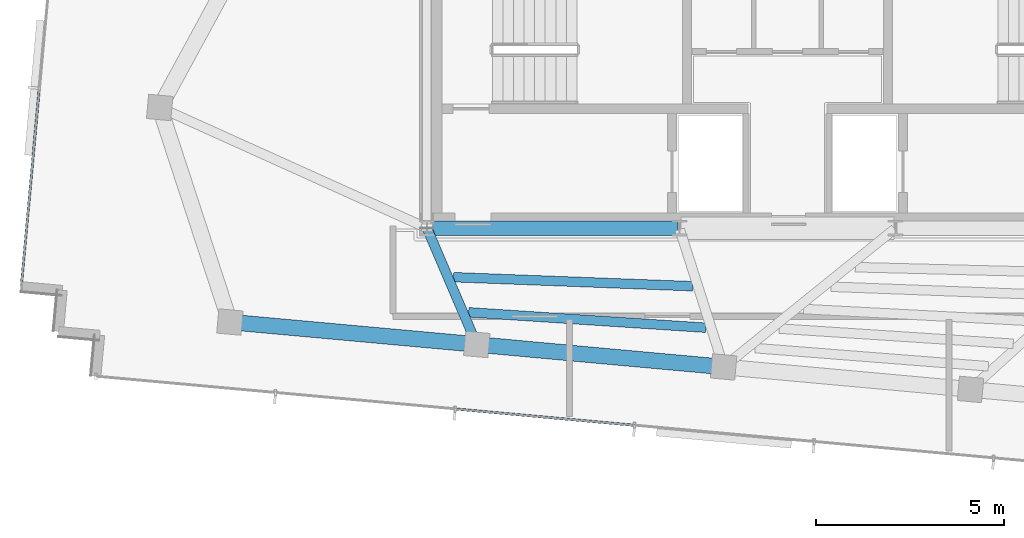
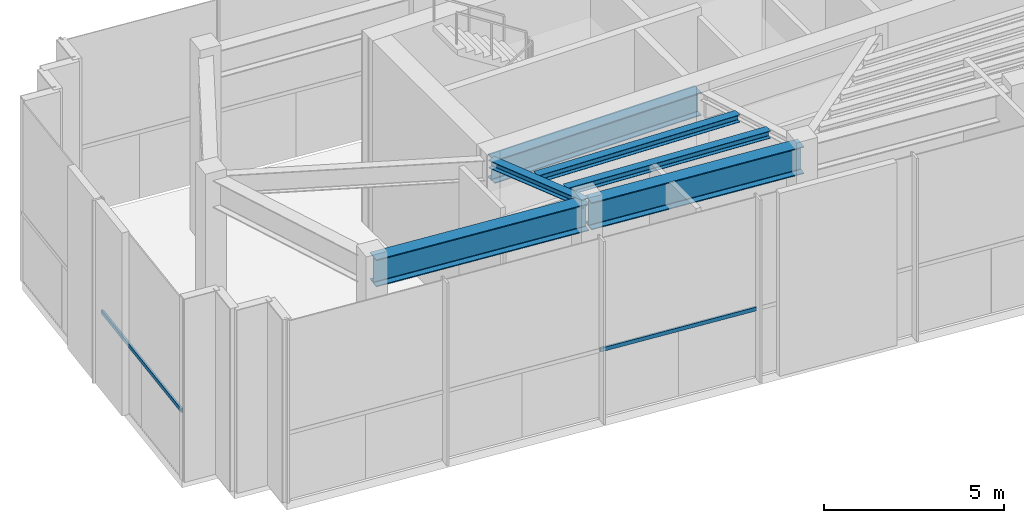
# One storey, part 3 of 19: 6 beams, 2 members, 2 elements without a shape of their own.
"""IFC4 building model written with IfcOpenShell, lengths in metres."""

from ifc_helpers import new_model, si_unit, direction, frame, origin, origin_2d, place, context, subcontext, project, spatial, hollow_rectangle, i_section, extrude, source, transform, mapped, material, material_profile, profile_set, type_object, type_shapes, element, aggregate, save


model = new_model("IFC4")

# Units and contexts
model_context = context("Model", 3, precision=1e-05, world=origin(), true_north=direction((0.0, 1.0)))
body_context = subcontext(model_context, "Body", "Model", "MODEL_VIEW")
ifc_project = project(units=[si_unit("LENGTHUNIT", "METRE"), si_unit("AREAUNIT", "SQUARE_METRE"), si_unit("VOLUMEUNIT", "CUBIC_METRE"), si_unit("PLANEANGLEUNIT", "RADIAN"), si_unit("MASSUNIT", "GRAM", prefix="KILO")], contexts=[model_context])

# Site, building, storey
site_placement = place(None, origin())
site = spatial("IfcSite", under=ifc_project, at=site_placement, CompositionType="ELEMENT")
building_placement = place(site_placement, origin())
building = spatial("IfcBuilding", under=site, at=building_placement, Name="Astriad Promenade Condominiums", CompositionType="ELEMENT")
storey_placement = place(building_placement, frame((0.0, 0.0, 283.800048828125)))
storey = spatial("IfcBuildingStorey", under=building, at=storey_placement, Name="L79", CompositionType="ELEMENT", Elevation=283.800048828125)

# Beams
ifc_material_1 = material(Name="Steel ASTM A992 Grade 50", Category="steel")
ifc_material_profile_1 = material_profile(ifc_material_1, i_section(OverallWidth=0.3837890625, OverallDepth=0.785888671875, WebThickness=0.019775390625, FlangeThickness=0.033447265625, FilletRadius=0.021484375, at=origin_2d()), Name="W30X211")
ifc_profile_set_1 = profile_set([ifc_material_profile_1], Name="Steel ASTM A992 Grade 50")
beam_type_1 = type_object("IfcBeamType", Name="STEEL FLOOR GIRDER W30X211", PredefinedType="BEAM", material=ifc_profile_set_1)
shared_shape_1 = source(origin(), body_context, "Body", "SweptSolid", [
    extrude(i_section(OverallWidth=0.3837890625, OverallDepth=0.785888671875, WebThickness=0.019775390625, FlangeThickness=0.033447265625, FilletRadius=0.021484375, at=origin_2d()), origin(), (0.0, 0.0, 1.0), 6.64013671875),
])
type_shapes(beam_type_1, [shared_shape_1])
beam_1_placement = place(storey_placement, frame((26.43994140625, 17.39990234375, 5.826904296875), z_axis=(1.0, 0.0, 0.0), x_axis=(0.0, 1.0, 0.0)))
element("IfcBeam", 1, at=beam_1_placement, inside=storey, type_object=beam_type_1, Name="Core Ring Beam CG-S1-L79", PredefinedType="BEAM", context=body_context, shape_type="MappedRepresentation", body=[
    mapped(shared_shape_1, transform((0.0, 0.0, 0.0), scale=1.0)),
])
ifc_material_profile_2 = material_profile(ifc_material_1, i_section(OverallWidth=0.25732421875, OverallDepth=0.26416015625, WebThickness=0.011962890625, FlangeThickness=0.01953125, FilletRadius=0.0126953125, at=origin_2d()), Name="W10X68")
ifc_profile_set_2 = profile_set([ifc_material_profile_2], Name="Steel ASTM A992 Grade 50")
beam_type_2 = type_object("IfcBeamType", Name="STEEL CANOPY BEAM W10X68", PredefinedType="BEAM", material=ifc_profile_set_2)
shared_shape_2 = source(origin(), body_context, "Body", "SweptSolid", [
    extrude(i_section(OverallWidth=0.25732421875, OverallDepth=0.26416015625, WebThickness=0.011962890625, FlangeThickness=0.01953125, FilletRadius=0.0126953125, at=origin_2d()), origin(), (0.0, 0.0, 1.0), 3.291259765625),
])
type_shapes(beam_type_2, [shared_shape_2])
beam_2_placement = place(storey_placement, frame((27.711181640625, 14.337646484375, 6.087890625), z_axis=(-0.39358803023, 0.919286931518, 0.0), x_axis=(-0.919286931518, -0.39358803023, 0.0)))
element("IfcBeam", 2, at=beam_2_placement, inside=storey, type_object=beam_type_2, Name="Primary Floor Girder PG-W2-L79", PredefinedType="BEAM", context=body_context, shape_type="MappedRepresentation", body=[
    mapped(shared_shape_2, transform((0.0, 0.0, 0.0), scale=1.0)),
])
ifc_material_profile_3 = material_profile(ifc_material_1, i_section(OverallWidth=0.418212890625, OverallDepth=0.926513671875, WebThickness=0.019287109375, FlangeThickness=0.031982421875, FilletRadius=0.024169921875, at=origin_2d()), Name="W36X231")
ifc_profile_set_3 = profile_set([ifc_material_profile_3], Name="Steel ASTM A992 Grade 50")
beam_type_3 = type_object("IfcBeamType", Name="STEEL CROWN RING BEAM W36X231", PredefinedType="BEAM", material=ifc_profile_set_3)
shared_shape_3 = source(origin(), body_context, "Body", "SweptSolid", [
    extrude(i_section(OverallWidth=0.418212890625, OverallDepth=0.926513671875, WebThickness=0.019287109375, FlangeThickness=0.031982421875, FilletRadius=0.024169921875, at=origin_2d()), origin(), (0.0, 0.0, 1.0), 6.52001953125),
])
beam_3_placement = place(storey_placement, frame((21.19384765625, 14.8955078125, 5.756591796875), z_axis=(0.995882457091, -0.090653911438, 0.0), x_axis=(0.090653911438, 0.995882457091, 0.0)))
element("IfcBeam", 3, at=beam_3_placement, inside=storey, type_object=beam_type_3, Name="Perimeter Spandrel Beam SP-S1-L79", PredefinedType="BEAM", context=body_context, shape_type="MappedRepresentation", body=[
    mapped(shared_shape_3, transform((0.0, 0.0, 0.0), scale=1.0)),
])
shared_shape_4 = source(origin(), body_context, "Body", "SweptSolid", [
    extrude(i_section(OverallWidth=0.418212890625, OverallDepth=0.926513671875, WebThickness=0.019287109375, FlangeThickness=0.031982421875, FilletRadius=0.024169921875, at=origin_2d()), origin(), (0.0, 0.0, 1.0), 6.520263671875),
])
type_shapes(beam_type_3, [shared_shape_3, shared_shape_4])
beam_4_placement = place(storey_placement, frame((27.7666015625, 14.29736328125, 5.756591796875), z_axis=(0.9958827648, -0.090650531022, 0.0), x_axis=(0.090650531022, 0.9958827648, 0.0)))
element("IfcBeam", 4, at=beam_4_placement, inside=storey, type_object=beam_type_3, Name="Perimeter Spandrel Beam SP-S2-L79", PredefinedType="BEAM", context=body_context, shape_type="MappedRepresentation", body=[
    mapped(shared_shape_4, transform((0.0, 0.0, 0.0), scale=1.0)),
])
ifc_material_profile_4 = material_profile(ifc_material_1, i_section(OverallWidth=0.25390625, OverallDepth=0.25390625, WebThickness=0.008544921875, FlangeThickness=0.01416015625, FilletRadius=0.0126953125, at=origin_2d()), Name="W10X49")
ifc_profile_set_4 = profile_set([ifc_material_profile_4], Name="Steel ASTM A992 Grade 50")
beam_type_4 = type_object("IfcBeamType", Name="STEEL TRIMMER JOIST W10X49", PredefinedType="JOIST", material=ifc_profile_set_4)
shared_shape_5 = source(origin(), body_context, "Body", "SweptSolid", [
    extrude(i_section(OverallWidth=0.25390625, OverallDepth=0.25390625, WebThickness=0.008544921875, FlangeThickness=0.01416015625, FilletRadius=0.0126953125, at=origin_2d()), origin(), (0.0, 0.0, 1.0), 6.32568359375),
])
beam_5_placement = place(storey_placement, frame((27.50927734375, 15.15869140625, 6.093017578125), z_axis=(0.997885605656, -0.064994753816, 0.0), x_axis=(0.064994753816, 0.997885605656, 0.0)))
element("IfcBeam", 5, at=beam_5_placement, inside=storey, type_object=beam_type_4, Name="Secondary Composite Floor Joist JCW-2-L79", PredefinedType="JOIST", context=body_context, shape_type="MappedRepresentation", body=[
    mapped(shared_shape_5, transform((0.0, 0.0, 0.0), scale=1.0)),
])
shared_shape_6 = source(origin(), body_context, "Body", "SweptSolid", [
    extrude(i_section(OverallWidth=0.25390625, OverallDepth=0.25390625, WebThickness=0.008544921875, FlangeThickness=0.01416015625, FilletRadius=0.0126953125, at=origin_2d()), origin(), (0.0, 0.0, 1.0), 6.36376953125),
])
type_shapes(beam_type_4, [shared_shape_5, shared_shape_6])
beam_6_placement = place(storey_placement, frame((27.109619140625, 16.092529296875, 6.093017578125), z_axis=(0.999290071043, -0.037674313731, 0.0), x_axis=(0.037674313731, 0.999290071043, 0.0)))
element("IfcBeam", 6, at=beam_6_placement, inside=storey, type_object=beam_type_4, Name="Secondary Composite Floor Joist JCW-4-L79", PredefinedType="JOIST", context=body_context, shape_type="MappedRepresentation", body=[
    mapped(shared_shape_6, transform((0.0, 0.0, 0.0), scale=1.0)),
])

# Curtain wall, member
ifc_material_2 = material(Name="Anodised aluminium Black Dark Glass Unitised", Category="aluminium")
curtain_wall_type = type_object("IfcCurtainWallType", Name="CW-TMD-LANTERN", PredefinedType="USERDEFINED", material=ifc_material_2)
curtain_wall_1_placement = place(storey_placement, origin())
curtain_wall_1 = element("IfcCurtainWall", 7, at=curtain_wall_1_placement, inside=storey, type_object=curtain_wall_type, Name="CW-CRN-L79-03", ObjectType="UNITISED_CURTAIN_WALL", PredefinedType="USERDEFINED")
ifc_material_3 = material(Name="Anodised aluminium 6063-T6 Black", Category="aluminium")
ifc_material_profile_5 = material_profile(ifc_material_3, hollow_rectangle(XDim=0.06494140625, YDim=0.1298828125, WallThickness=0.00390625, at=origin_2d()), Name="ALU-TRN-65X130")
ifc_profile_set_5 = profile_set([ifc_material_profile_5], Name="Anodised aluminium 6063-T6 Black")
member_type = type_object("IfcMemberType", Name="TRN-ALU-TRN-65X130", PredefinedType="USERDEFINED", material=ifc_profile_set_5)
shared_shape_7 = source(origin(), body_context, "Body", "SweptSolid", [
    extrude(hollow_rectangle(XDim=0.06494140625, YDim=0.1298828125, WallThickness=0.00390625, at=origin_2d()), origin(), (0.0, 0.0, 1.0), 5.300048828125),
])
member_1_placement = place(storey_placement, frame((15.597900390625, 15.84375, 2.349853515625), z_axis=(0.090606350912, 0.99588678532, 0.0), x_axis=(-0.99588678532, 0.090606350912, 0.0)))
member_1 = element("IfcMember", 8, at=member_1_placement, type_object=member_type, Name="CW-CRN-L79-03-TRN-00-0", ObjectType="TRANSOM", PredefinedType="USERDEFINED", context=body_context, shape_type="MappedRepresentation", body=[
    mapped(shared_shape_7, transform((0.0, 0.0, 0.0), scale=1.0)),
])
aggregate(curtain_wall_1, [member_1])

curtain_wall_2_placement = place(storey_placement, origin())
curtain_wall_2 = element("IfcCurtainWall", 9, at=curtain_wall_2_placement, inside=storey, type_object=curtain_wall_type, Name="CW-CRN-L79-18", ObjectType="UNITISED_CURTAIN_WALL", PredefinedType="USERDEFINED")
shared_shape_8 = source(origin(), body_context, "Body", "SweptSolid", [
    extrude(hollow_rectangle(XDim=0.06494140625, YDim=0.1298828125, WallThickness=0.00390625, at=origin_2d()), origin(), (0.0, 0.0, 1.0), 4.800048828125),
])
type_shapes(member_type, [shared_shape_7, shared_shape_8])
member_2_placement = place(storey_placement, frame((31.93017578125, 12.1484375, 2.349853515625), z_axis=(-0.995884029465, 0.09063663639, 0.0), x_axis=(-0.09063663639, -0.995884029465, 0.0)))
member_2 = element("IfcMember", 10, at=member_2_placement, type_object=member_type, Name="CW-CRN-L79-18-TRN-04-0", ObjectType="TRANSOM", PredefinedType="USERDEFINED", context=body_context, shape_type="MappedRepresentation", body=[
    mapped(shared_shape_8, transform((0.0, 0.0, 0.0), scale=1.0)),
])
aggregate(curtain_wall_2, [member_2])

save(model, "model.ifc")
